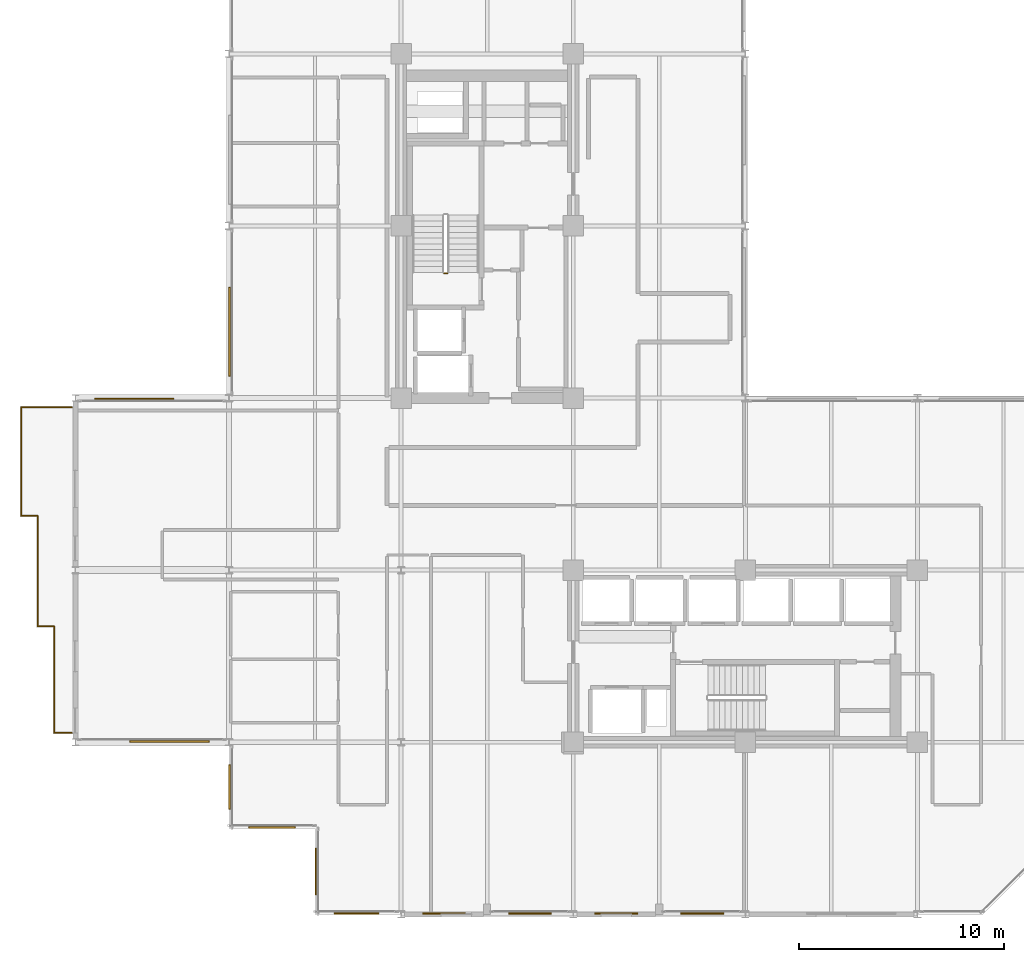
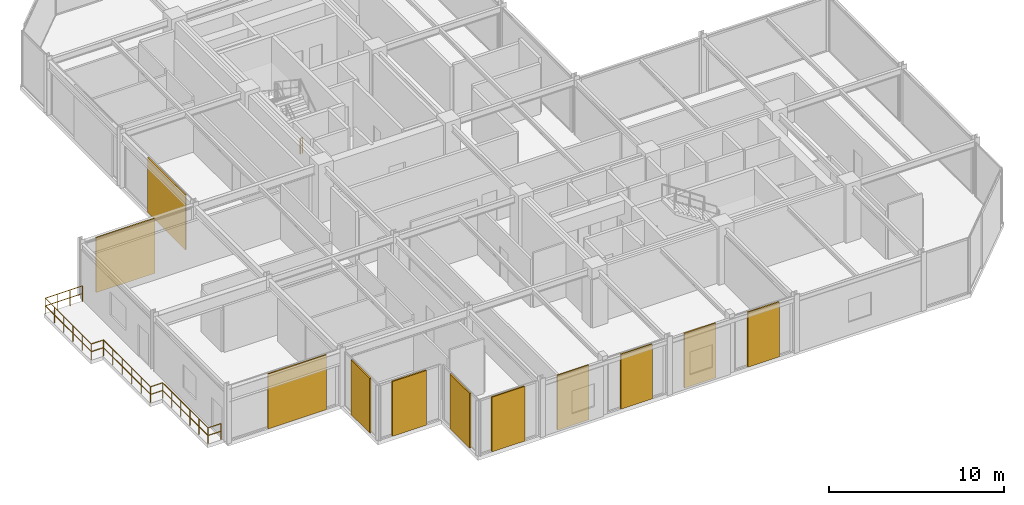
# One storey, part 27 of 29: 11 coverings, 8 railings.
"""IFC4 building model written with IfcOpenShell, lengths in metres."""

from ifc_helpers import new_model, si_unit, direction, frame, origin, origin_2d, place, context, subcontext, project, spatial, rectangle, circle, extrude, material, layer, layer_set, type_object, element, save


model = new_model("IFC4")

# Units and contexts
model_context = context("Model", 3, precision=1e-05, world=origin(), true_north=direction((0.0, 1.0)))
body_context = subcontext(model_context, "Body", "Model", "MODEL_VIEW")
ifc_project = project(units=[si_unit("LENGTHUNIT", "METRE"), si_unit("AREAUNIT", "SQUARE_METRE"), si_unit("VOLUMEUNIT", "CUBIC_METRE"), si_unit("PLANEANGLEUNIT", "RADIAN"), si_unit("MASSUNIT", "GRAM", prefix="KILO")], contexts=[model_context])

# Site, building, storey
site_placement = place(None, origin())
site = spatial("IfcSite", under=ifc_project, at=site_placement, CompositionType="ELEMENT")
building_placement = place(site_placement, origin())
building = spatial("IfcBuilding", under=site, at=building_placement, Name="Nerrivon Quay Data Exchange", CompositionType="ELEMENT")
storey_placement = place(building_placement, frame((0.0, 0.0, 187.800048828125)))
storey = spatial("IfcBuildingStorey", under=building, at=storey_placement, Name="L44", CompositionType="ELEMENT", Elevation=187.800048828125)

# Coverings
ifc_material_1 = material(Name="Architectural terracotta ceramic", Category="masonry")
ifc_layer = layer(ifc_material_1, 0.090087890625)
ifc_layer_set = layer_set([ifc_layer], Name="Architectural terracotta ceramic")
covering_type = type_object("IfcCoveringType", Name="COV-SCR-TERR", PredefinedType="CLADDING", material=ifc_layer_set)
covering_1_placement = place(storey_placement, frame((-4.6201171875, 25.155029296875, 0.0), z_axis=(0.0, 0.0, 1.0), x_axis=(1.0, 0.0, 0.0)))
element("IfcCovering", 1, at=covering_1_placement, inside=storey, type_object=covering_type, Name="L44 Perforated Terracotta SOLAR SCREEN Cassette", PredefinedType="CLADDING", context=body_context, shape_type="SweptSolid", body=[
    extrude(rectangle(XDim=3.8720703125, YDim=0.090087890625, at=origin_2d()), origin(), (0.0, 0.0, 1.0), 3.824951171875),
])
covering_2_placement = place(storey_placement, frame((0.044921875, 28.43408203125, 0.0), z_axis=(0.0, 0.0, 1.0), x_axis=(0.0, 1.0, 0.0)))
element("IfcCovering", 2, at=covering_2_placement, inside=storey, type_object=covering_type, Name="L44 Perforated Terracotta SOLAR SCREEN Cassette", PredefinedType="CLADDING", context=body_context, shape_type="SweptSolid", body=[
    extrude(rectangle(XDim=4.346923828125, YDim=0.090087890625, at=origin_2d()), origin(), (0.0, 0.0, 1.0), 3.824951171875),
])
for number, where, z_axis, x_axis, name in (
    (3, (23.10009765625, 0.044921875, 0.0), (0.0, 0.0, 1.0), (-1.0, 0.0, 0.0), "L44 Perforated Terracotta SOLAR SCREEN Cassette"),
    (4, (18.89990234375, 0.044921875, 0.0), (0.0, 0.0, 1.0), (-1.0, 0.0, 0.0), "L44 Perforated Terracotta SOLAR SCREEN Cassette"),
    (5, (14.699951171875, 0.044921875, 0.0), (0.0, 0.0, 1.0), (-1.0, 0.0, 0.0), "L44 Perforated Terracotta SOLAR SCREEN Cassette"),
    (6, (10.5, 0.044921875, 0.0), (0.0, 0.0, 1.0), (-1.0, 0.0, 0.0), "L44 Perforated Terracotta SOLAR SCREEN Cassette"),
):
    element("IfcCovering", number, at=place(storey_placement, frame(where, z_axis=z_axis, x_axis=x_axis)), inside=storey, type_object=covering_type, Name=name, PredefinedType="CLADDING", context=body_context, shape_type="SweptSolid", body=[
        extrude(rectangle(XDim=2.0791015625, YDim=0.090087890625, at=origin_2d()), origin(), (0.0, 0.0, 1.0), 3.824951171875),
    ])
covering_3_placement = place(storey_placement, frame((6.21240234375, 0.044921875, 0.0), z_axis=(0.0, 0.0, 1.0), x_axis=(-1.0, 0.0, 0.0)))
element("IfcCovering", 7, at=covering_3_placement, inside=storey, type_object=covering_type, Name="L44 Perforated Terracotta SOLAR SCREEN Cassette", PredefinedType="CLADDING", context=body_context, shape_type="SweptSolid", body=[
    extrude(rectangle(XDim=2.173095703125, YDim=0.090087890625, at=origin_2d()), origin(), (0.0, 0.0, 1.0), 3.824951171875),
])
for number, where, z_axis, x_axis, name in (
    (8, (4.2451171875, 2.10009765625, 0.0), (0.0, 0.0, 1.0), (0.0, 1.0, 0.0), "L44 Perforated Terracotta SOLAR SCREEN Cassette"),
    (9, (2.10009765625, 4.2451171875, 0.0), (0.0, 0.0, 1.0), (-1.0, 0.0, 0.0), "L44 Perforated Terracotta SOLAR SCREEN Cassette"),
):
    element("IfcCovering", number, at=place(storey_placement, frame(where, z_axis=z_axis, x_axis=x_axis)), inside=storey, type_object=covering_type, Name=name, PredefinedType="CLADDING", context=body_context, shape_type="SweptSolid", body=[
        extrude(rectangle(XDim=2.26806640625, YDim=0.090087890625, at=origin_2d()), origin(), (0.0, 0.0, 1.0), 3.824951171875),
    ])
covering_4_placement = place(storey_placement, frame((0.044921875, 6.21240234375, 0.0), z_axis=(0.0, 0.0, 1.0), x_axis=(0.0, 1.0, 0.0)))
element("IfcCovering", 10, at=covering_4_placement, inside=storey, type_object=covering_type, Name="L44 Perforated Terracotta SOLAR SCREEN Cassette", PredefinedType="CLADDING", context=body_context, shape_type="SweptSolid", body=[
    extrude(rectangle(XDim=2.173095703125, YDim=0.090087890625, at=origin_2d()), origin(), (0.0, 0.0, 1.0), 3.824951171875),
])
covering_5_placement = place(storey_placement, frame((-2.8994140625, 8.445068359375, 0.0), z_axis=(0.0, 0.0, 1.0), x_axis=(-1.0, 0.0, 0.0)))
element("IfcCovering", 11, at=covering_5_placement, inside=storey, type_object=covering_type, Name="L44 Perforated Terracotta SOLAR SCREEN Cassette", PredefinedType="CLADDING", context=body_context, shape_type="SweptSolid", body=[
    extrude(rectangle(XDim=3.8720703125, YDim=0.090087890625, at=origin_2d()), origin(), (0.0, 0.0, 1.0), 3.824951171875),
])

# Railings
ifc_material_2 = material(Name="Steel Grade C350L0 (350 MPa)", Category="steel")
railing_type_1 = type_object("IfcRailingType", Name="RAIL-GUARD-GR2", PredefinedType="BALUSTRADE", material=ifc_material_2)
railing_1_placement = place(storey_placement, frame((-7.679931640625, 8.860107421875, 0.0)))
element("IfcRailing", 12, at=railing_1_placement, inside=storey, type_object=railing_type_1, Name="L44 Verandah Balcony Guard 1.1 1", PredefinedType="BALUSTRADE", context=body_context, shape_type="SweptSolid", body=[
    extrude(circle(Radius=0.02392578125, at=origin_2d()), frame((0.0, 0.0, 1.09619140625), z_axis=(-1.0, 0.0, 0.0), x_axis=(0.0, -1.0, 0.0)), (0.0, 0.0, 1.0), 0.860107421875),
    extrude(circle(Radius=0.02392578125, at=origin_2d()), frame((0.0, 0.0, 0.56005859375), z_axis=(-1.0, 0.0, 0.0), x_axis=(0.0, -1.0, 0.0)), (0.0, 0.0, 1.0), 0.860107421875),
    extrude(circle(Radius=0.02099609375, at=origin_2d()), origin(), (0.0, 0.0, 1.0), 1.072021484375),
    extrude(circle(Radius=0.02099609375, at=origin_2d()), frame((-0.860107421875, 0.0, 0.0)), (0.0, 0.0, 1.0), 1.072021484375),
])
railing_2_placement = place(storey_placement, frame((-8.5400390625, 8.860107421875, 0.0)))
element("IfcRailing", 13, at=railing_2_placement, inside=storey, type_object=railing_type_1, Name="L44 Verandah Balcony Guard 1.2 1", PredefinedType="BALUSTRADE", context=body_context, shape_type="SweptSolid", body=[
    extrude(circle(Radius=0.02392578125, at=origin_2d()), frame((0.0, 0.0, 1.09619140625), z_axis=(0.0, 1.0, 0.0), x_axis=(-1.0, 0.0, 0.0)), (0.0, 0.0, 1.0), 5.199951171875),
    extrude(circle(Radius=0.02392578125, at=origin_2d()), frame((0.0, 0.0, 0.56005859375), z_axis=(0.0, 1.0, 0.0), x_axis=(-1.0, 0.0, 0.0)), (0.0, 0.0, 1.0), 5.199951171875),
    extrude(circle(Radius=0.02099609375, at=origin_2d()), origin(), (0.0, 0.0, 1.0), 1.072021484375),
    extrude(circle(Radius=0.02099609375, at=origin_2d()), frame((0.0, 1.0400390625, 0.0)), (0.0, 0.0, 1.0), 1.072021484375),
    extrude(circle(Radius=0.02099609375, at=origin_2d()), frame((0.0, 2.080078125, 0.0)), (0.0, 0.0, 1.0), 1.072021484375),
    extrude(circle(Radius=0.02099609375, at=origin_2d()), frame((0.0, 3.119873046875, 0.0)), (0.0, 0.0, 1.0), 1.072021484375),
    extrude(circle(Radius=0.02099609375, at=origin_2d()), frame((0.0, 4.159912109375, 0.0)), (0.0, 0.0, 1.0), 1.072021484375),
    extrude(circle(Radius=0.02099609375, at=origin_2d()), frame((0.0, 5.199951171875, 0.0)), (0.0, 0.0, 1.0), 1.072021484375),
])
railing_3_placement = place(storey_placement, frame((-8.5400390625, 14.06005859375, 0.0)))
element("IfcRailing", 14, at=railing_3_placement, inside=storey, type_object=railing_type_1, Name="L44 Verandah Balcony Guard 1.3 1", PredefinedType="BALUSTRADE", context=body_context, shape_type="SweptSolid", body=[
    extrude(circle(Radius=0.02392578125, at=origin_2d()), frame((0.0, 0.0, 1.09619140625), z_axis=(-1.0, 0.0, 0.0), x_axis=(0.0, -1.0, 0.0)), (0.0, 0.0, 1.0), 0.800048828125),
    extrude(circle(Radius=0.02392578125, at=origin_2d()), frame((0.0, 0.0, 0.56005859375), z_axis=(-1.0, 0.0, 0.0), x_axis=(0.0, -1.0, 0.0)), (0.0, 0.0, 1.0), 0.800048828125),
    extrude(circle(Radius=0.02099609375, at=origin_2d()), origin(), (0.0, 0.0, 1.0), 1.072021484375),
    extrude(circle(Radius=0.02099609375, at=origin_2d()), frame((-0.800048828125, 0.0, 0.0)), (0.0, 0.0, 1.0), 1.072021484375),
])
railing_4_placement = place(storey_placement, frame((-9.340087890625, 14.06005859375, 0.0)))
element("IfcRailing", 15, at=railing_4_placement, inside=storey, type_object=railing_type_1, Name="L44 Verandah Balcony Guard 1.4 1", PredefinedType="BALUSTRADE", context=body_context, shape_type="SweptSolid", body=[
    extrude(circle(Radius=0.02392578125, at=origin_2d()), frame((0.0, 0.0, 1.09619140625), z_axis=(0.0, 1.0, 0.0), x_axis=(-1.0, 0.0, 0.0)), (0.0, 0.0, 1.0), 5.39990234375),
    extrude(circle(Radius=0.02392578125, at=origin_2d()), frame((0.0, 0.0, 0.56005859375), z_axis=(0.0, 1.0, 0.0), x_axis=(-1.0, 0.0, 0.0)), (0.0, 0.0, 1.0), 5.39990234375),
    extrude(circle(Radius=0.02099609375, at=origin_2d()), origin(), (0.0, 0.0, 1.0), 1.072021484375),
    extrude(circle(Radius=0.02099609375, at=origin_2d()), frame((0.0, 1.080078125, 0.0)), (0.0, 0.0, 1.0), 1.072021484375),
    extrude(circle(Radius=0.02099609375, at=origin_2d()), frame((0.0, 2.159912109375, 0.0)), (0.0, 0.0, 1.0), 1.072021484375),
    extrude(circle(Radius=0.02099609375, at=origin_2d()), frame((0.0, 3.239990234375, 0.0)), (0.0, 0.0, 1.0), 1.072021484375),
    extrude(circle(Radius=0.02099609375, at=origin_2d()), frame((0.0, 4.31982421875, 0.0)), (0.0, 0.0, 1.0), 1.072021484375),
    extrude(circle(Radius=0.02099609375, at=origin_2d()), frame((0.0, 5.39990234375, 0.0)), (0.0, 0.0, 1.0), 1.072021484375),
])
railing_5_placement = place(storey_placement, frame((-9.340087890625, 19.4599609375, 0.0)))
element("IfcRailing", 16, at=railing_5_placement, inside=storey, type_object=railing_type_1, Name="L44 Verandah Balcony Guard 1.5 1", PredefinedType="BALUSTRADE", context=body_context, shape_type="SweptSolid", body=[
    extrude(circle(Radius=0.02392578125, at=origin_2d()), frame((0.0, 0.0, 1.09619140625), z_axis=(-1.0, 0.0, 0.0), x_axis=(0.0, -1.0, 0.0)), (0.0, 0.0, 1.0), 0.7998046875),
    extrude(circle(Radius=0.02392578125, at=origin_2d()), frame((0.0, 0.0, 0.56005859375), z_axis=(-1.0, 0.0, 0.0), x_axis=(0.0, -1.0, 0.0)), (0.0, 0.0, 1.0), 0.7998046875),
    extrude(circle(Radius=0.02099609375, at=origin_2d()), origin(), (0.0, 0.0, 1.0), 1.072021484375),
    extrude(circle(Radius=0.02099609375, at=origin_2d()), frame((-0.7998046875, 0.0, 0.0)), (0.0, 0.0, 1.0), 1.072021484375),
])
railing_6_placement = place(storey_placement, frame((-10.139892578125, 19.4599609375, 0.0)))
element("IfcRailing", 17, at=railing_6_placement, inside=storey, type_object=railing_type_1, Name="L44 Verandah Balcony Guard 1.6 1", PredefinedType="BALUSTRADE", context=body_context, shape_type="SweptSolid", body=[
    extrude(circle(Radius=0.02392578125, at=origin_2d()), frame((0.0, 0.0, 1.09619140625), z_axis=(0.0, 1.0, 0.0), x_axis=(-1.0, 0.0, 0.0)), (0.0, 0.0, 1.0), 5.280029296875),
    extrude(circle(Radius=0.02392578125, at=origin_2d()), frame((0.0, 0.0, 0.56005859375), z_axis=(0.0, 1.0, 0.0), x_axis=(-1.0, 0.0, 0.0)), (0.0, 0.0, 1.0), 5.280029296875),
    extrude(circle(Radius=0.02099609375, at=origin_2d()), origin(), (0.0, 0.0, 1.0), 1.072021484375),
    extrude(circle(Radius=0.02099609375, at=origin_2d()), frame((0.0, 1.055908203125, 0.0)), (0.0, 0.0, 1.0), 1.072021484375),
    extrude(circle(Radius=0.02099609375, at=origin_2d()), frame((0.0, 2.112060546875, 0.0)), (0.0, 0.0, 1.0), 1.072021484375),
    extrude(circle(Radius=0.02099609375, at=origin_2d()), frame((0.0, 3.16796875, 0.0)), (0.0, 0.0, 1.0), 1.072021484375),
    extrude(circle(Radius=0.02099609375, at=origin_2d()), frame((0.0, 4.22412109375, 0.0)), (0.0, 0.0, 1.0), 1.072021484375),
    extrude(circle(Radius=0.02099609375, at=origin_2d()), frame((0.0, 5.280029296875, 0.0)), (0.0, 0.0, 1.0), 1.072021484375),
])
railing_7_placement = place(storey_placement, frame((-10.139892578125, 24.739990234375, 0.0)))
element("IfcRailing", 18, at=railing_7_placement, inside=storey, type_object=railing_type_1, Name="L44 Verandah Balcony Guard 1.7 1", PredefinedType="BALUSTRADE", context=body_context, shape_type="SweptSolid", body=[
    extrude(circle(Radius=0.02392578125, at=origin_2d()), frame((0.0, 0.0, 1.09619140625), z_axis=(1.0, 0.0, 0.0), x_axis=(0.0, 1.0, 0.0)), (0.0, 0.0, 1.0), 2.4599609375),
    extrude(circle(Radius=0.02392578125, at=origin_2d()), frame((0.0, 0.0, 0.56005859375), z_axis=(1.0, 0.0, 0.0), x_axis=(0.0, 1.0, 0.0)), (0.0, 0.0, 1.0), 2.4599609375),
    extrude(circle(Radius=0.02099609375, at=origin_2d()), origin(), (0.0, 0.0, 1.0), 1.072021484375),
    extrude(circle(Radius=0.02099609375, at=origin_2d()), frame((0.820068359375, 0.0, 0.0)), (0.0, 0.0, 1.0), 1.072021484375),
    extrude(circle(Radius=0.02099609375, at=origin_2d()), frame((1.639892578125, 0.0, 0.0)), (0.0, 0.0, 1.0), 1.072021484375),
    extrude(circle(Radius=0.02099609375, at=origin_2d()), frame((2.4599609375, 0.0, 0.0)), (0.0, 0.0, 1.0), 1.072021484375),
])
railing_type_2 = type_object("IfcRailingType", Name="RAIL-STAIR-GR1", PredefinedType="BALUSTRADE", material=ifc_material_2)
railing_8_placement = place(storey_placement, frame((10.64990234375, 31.280029296875, 0.0)))
element("IfcRailing", 19, at=railing_8_placement, inside=storey, type_object=railing_type_2, Name="L44 ST01 stair guard 4", PredefinedType="BALUSTRADE", context=body_context, shape_type="SweptSolid", body=[
    extrude(circle(Radius=0.02392578125, at=origin_2d()), frame((0.0, 0.0, 1.076171875), z_axis=(-1.0, 0.0, 0.0), x_axis=(0.0, -1.0, 0.0)), (0.0, 0.0, 1.0), 0.14990234375),
    extrude(circle(Radius=0.02392578125, at=origin_2d()), frame((0.0, 0.0, 0.550048828125), z_axis=(-1.0, 0.0, 0.0), x_axis=(0.0, -1.0, 0.0)), (0.0, 0.0, 1.0), 0.14990234375),
    extrude(circle(Radius=0.02099609375, at=origin_2d()), origin(), (0.0, 0.0, 1.0), 1.052001953125),
    extrude(circle(Radius=0.02099609375, at=origin_2d()), frame((-0.14990234375, 0.0, 0.0)), (0.0, 0.0, 1.0), 1.052001953125),
])

save(model, "model.ifc")
